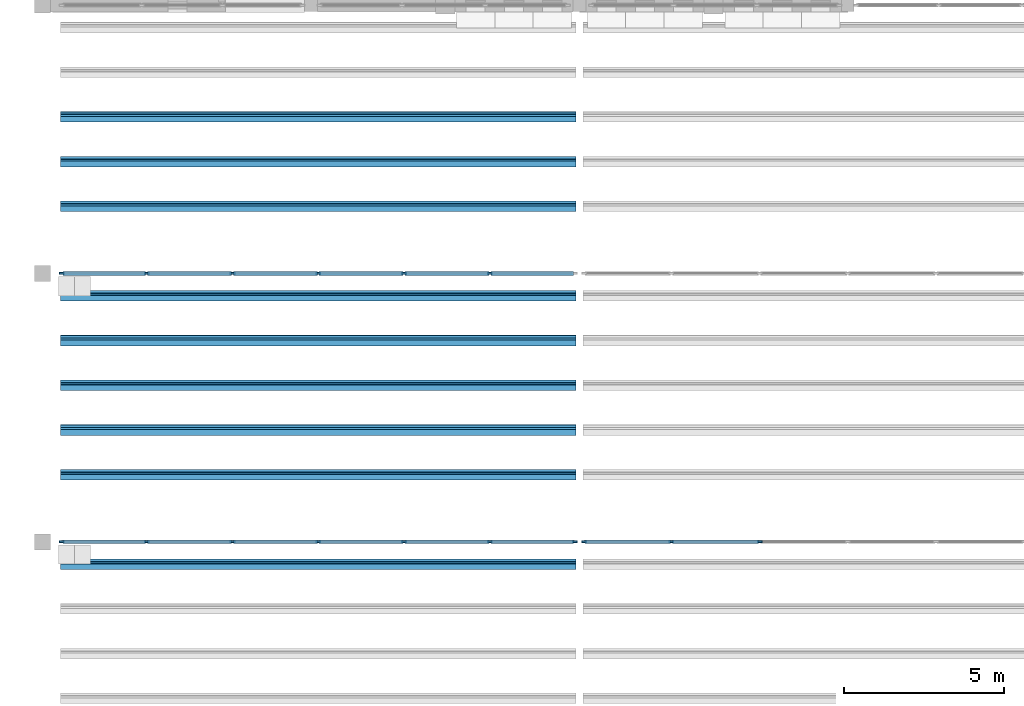
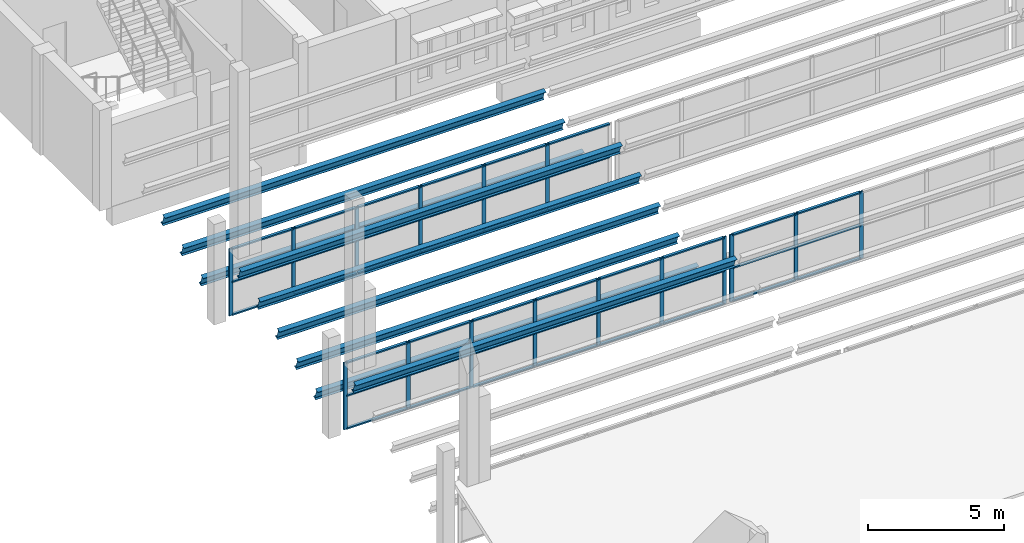
# One storey, part 10 of 116: 67 members, 3 elements without a shape of their own.
"""IFC4 building model written with IfcOpenShell, lengths in metres."""

from ifc_helpers import new_model, si_unit, direction, frame, origin, origin_2d, place, context, subcontext, project, spatial, rectangle, i_section, extrude, material, material_profile, profile_set, type_object, element, aggregate, save


model = new_model("IFC4")

# Units and contexts
model_context = context("Model", 3, precision=1e-05, world=origin(), true_north=direction((0.0, 1.0)))
body_context = subcontext(model_context, "Body", "Model", "MODEL_VIEW")
ifc_project = project(units=[si_unit("LENGTHUNIT", "METRE"), si_unit("AREAUNIT", "SQUARE_METRE"), si_unit("VOLUMEUNIT", "CUBIC_METRE"), si_unit("PLANEANGLEUNIT", "RADIAN"), si_unit("MASSUNIT", "GRAM", prefix="KILO")], contexts=[model_context])

# Site, building, storey
site_placement = place(None, origin())
site = spatial("IfcSite", under=ifc_project, at=site_placement, CompositionType="ELEMENT")
building_placement = place(site_placement, origin())
building = spatial("IfcBuilding", under=site, at=building_placement, Name="Fescue Hill Polytechnic", CompositionType="ELEMENT")
storey_placement = place(building_placement, frame((0.0, 0.0, 13.5)))
storey = spatial("IfcBuildingStorey", under=building, at=storey_placement, Name="L03", CompositionType="ELEMENT", Elevation=13.5)

# Curtain wall, members
ifc_material_1 = material(Name="Aluminium and glass", Category="aluminium")
curtain_wall_type = type_object("IfcCurtainWallType", Name="Sawtooth north glazing curtain wall", PredefinedType="NOTDEFINED", material=ifc_material_1)
curtain_wall_1_placement = place(storey_placement, origin())
curtain_wall_1 = element("IfcCurtainWall", 1, at=curtain_wall_1_placement, inside=storey, type_object=curtain_wall_type, Name="Sawtooth 2 north glazing bay 1", PredefinedType="NOTDEFINED")
ifc_material_2 = material(Name="Aluminium", Category="aluminium")
ifc_material_profile_1 = material_profile(ifc_material_2, rectangle(XDim=0.06005859375, YDim=0.159912109375, at=origin_2d()), Name="Curtain wall mullion 60x160")
ifc_profile_set_1 = profile_set([ifc_material_profile_1], Name="Aluminium")
member_type_1 = type_object("IfcMemberType", Name="Curtain wall mullion 60x160", PredefinedType="MULLION", material=ifc_profile_set_1)
member_1_placement = place(storey_placement, frame((0.60009765625, 33.60009765625, 0.0), z_axis=(0.0, 0.0, 1.0), x_axis=(0.0, 1.0, 0.0)))
member_1 = element("IfcMember", 2, at=member_1_placement, type_object=member_type_1, Name="CW8 mullion 1", PredefinedType="MULLION", context=body_context, shape_type="SweptSolid", body=[
    extrude(rectangle(XDim=0.06005859375, YDim=0.159912109375, at=origin_2d()), origin(), (0.0, 0.0, 1.0), 3.0),
])
member_2_placement = place(storey_placement, frame((3.2548828125, 33.60009765625, 0.0), z_axis=(0.0, 0.0, 1.0), x_axis=(0.0, 1.0, 0.0)))
member_2 = element("IfcMember", 3, at=member_2_placement, type_object=member_type_1, Name="CW8 mullion 2", PredefinedType="MULLION", context=body_context, shape_type="SweptSolid", body=[
    extrude(rectangle(XDim=0.06005859375, YDim=0.159912109375, at=origin_2d()), origin(), (0.0, 0.0, 1.0), 3.0),
])
member_3_placement = place(storey_placement, frame((5.93994140625, 33.60009765625, 0.0), z_axis=(0.0, 0.0, 1.0), x_axis=(0.0, 1.0, 0.0)))
member_3 = element("IfcMember", 4, at=member_3_placement, type_object=member_type_1, Name="CW8 mullion 3", PredefinedType="MULLION", context=body_context, shape_type="SweptSolid", body=[
    extrude(rectangle(XDim=0.06005859375, YDim=0.159912109375, at=origin_2d()), origin(), (0.0, 0.0, 1.0), 3.0),
])
member_4_placement = place(storey_placement, frame((8.625, 33.60009765625, 0.0), z_axis=(0.0, 0.0, 1.0), x_axis=(0.0, 1.0, 0.0)))
member_4 = element("IfcMember", 5, at=member_4_placement, type_object=member_type_1, Name="CW8 mullion 4", PredefinedType="MULLION", context=body_context, shape_type="SweptSolid", body=[
    extrude(rectangle(XDim=0.06005859375, YDim=0.159912109375, at=origin_2d()), origin(), (0.0, 0.0, 1.0), 3.0),
])
member_5_placement = place(storey_placement, frame((11.31005859375, 33.60009765625, 0.0), z_axis=(0.0, 0.0, 1.0), x_axis=(0.0, 1.0, 0.0)))
member_5 = element("IfcMember", 6, at=member_5_placement, type_object=member_type_1, Name="CW8 mullion 5", PredefinedType="MULLION", context=body_context, shape_type="SweptSolid", body=[
    extrude(rectangle(XDim=0.06005859375, YDim=0.159912109375, at=origin_2d()), origin(), (0.0, 0.0, 1.0), 3.0),
])
member_6_placement = place(storey_placement, frame((13.9951171875, 33.60009765625, 0.0), z_axis=(0.0, 0.0, 1.0), x_axis=(0.0, 1.0, 0.0)))
member_6 = element("IfcMember", 7, at=member_6_placement, type_object=member_type_1, Name="CW8 mullion 6", PredefinedType="MULLION", context=body_context, shape_type="SweptSolid", body=[
    extrude(rectangle(XDim=0.06005859375, YDim=0.159912109375, at=origin_2d()), origin(), (0.0, 0.0, 1.0), 3.0),
])
member_7_placement = place(storey_placement, frame((16.64990234375, 33.60009765625, 0.0), z_axis=(0.0, 0.0, 1.0), x_axis=(0.0, 1.0, 0.0)))
member_7 = element("IfcMember", 8, at=member_7_placement, type_object=member_type_1, Name="CW8 mullion 7", PredefinedType="MULLION", context=body_context, shape_type="SweptSolid", body=[
    extrude(rectangle(XDim=0.06005859375, YDim=0.159912109375, at=origin_2d()), origin(), (0.0, 0.0, 1.0), 3.0),
])

curtain_wall_2_placement = place(storey_placement, origin())
curtain_wall_2 = element("IfcCurtainWall", 9, at=curtain_wall_2_placement, inside=storey, type_object=curtain_wall_type, Name="Sawtooth 2 north glazing bay 2", PredefinedType="NOTDEFINED")
member_8_placement = place(storey_placement, frame((16.949951171875, 33.60009765625, 0.0), z_axis=(0.0, 0.0, 1.0), x_axis=(0.0, 1.0, 0.0)))
member_8 = element("IfcMember", 10, at=member_8_placement, type_object=member_type_1, Name="CW9 mullion 1", PredefinedType="MULLION", context=body_context, shape_type="SweptSolid", body=[
    extrude(rectangle(XDim=0.06005859375, YDim=0.159912109375, at=origin_2d()), origin(), (0.0, 0.0, 1.0), 3.0),
])
member_9_placement = place(storey_placement, frame((19.679931640625, 33.60009765625, 0.0), z_axis=(0.0, 0.0, 1.0), x_axis=(0.0, 1.0, 0.0)))
member_9 = element("IfcMember", 11, at=member_9_placement, type_object=member_type_1, Name="CW9 mullion 2", PredefinedType="MULLION", context=body_context, shape_type="SweptSolid", body=[
    extrude(rectangle(XDim=0.06005859375, YDim=0.159912109375, at=origin_2d()), origin(), (0.0, 0.0, 1.0), 3.0),
])
member_10_placement = place(storey_placement, frame((22.43994140625, 33.60009765625, 0.0), z_axis=(0.0, 0.0, 1.0), x_axis=(0.0, 1.0, 0.0)))
member_10 = element("IfcMember", 12, at=member_10_placement, type_object=member_type_1, Name="CW9 mullion 3", PredefinedType="MULLION", context=body_context, shape_type="SweptSolid", body=[
    extrude(rectangle(XDim=0.06005859375, YDim=0.159912109375, at=origin_2d()), origin(), (0.0, 0.0, 1.0), 3.0),
])

curtain_wall_3_placement = place(storey_placement, origin())
curtain_wall_3 = element("IfcCurtainWall", 13, at=curtain_wall_3_placement, inside=storey, type_object=curtain_wall_type, Name="Sawtooth 3 north glazing bay 1", PredefinedType="NOTDEFINED")
member_11_placement = place(storey_placement, frame((0.60009765625, 42.0, 0.0), z_axis=(0.0, 0.0, 1.0), x_axis=(0.0, 1.0, 0.0)))
member_11 = element("IfcMember", 14, at=member_11_placement, type_object=member_type_1, Name="CW15 mullion 1", PredefinedType="MULLION", context=body_context, shape_type="SweptSolid", body=[
    extrude(rectangle(XDim=0.06005859375, YDim=0.159912109375, at=origin_2d()), origin(), (0.0, 0.0, 1.0), 3.0),
])
member_12_placement = place(storey_placement, frame((3.2548828125, 42.0, 0.0), z_axis=(0.0, 0.0, 1.0), x_axis=(0.0, 1.0, 0.0)))
member_12 = element("IfcMember", 15, at=member_12_placement, type_object=member_type_1, Name="CW15 mullion 2", PredefinedType="MULLION", context=body_context, shape_type="SweptSolid", body=[
    extrude(rectangle(XDim=0.06005859375, YDim=0.159912109375, at=origin_2d()), origin(), (0.0, 0.0, 1.0), 3.0),
])
member_13_placement = place(storey_placement, frame((5.93994140625, 42.0, 0.0), z_axis=(0.0, 0.0, 1.0), x_axis=(0.0, 1.0, 0.0)))
member_13 = element("IfcMember", 16, at=member_13_placement, type_object=member_type_1, Name="CW15 mullion 3", PredefinedType="MULLION", context=body_context, shape_type="SweptSolid", body=[
    extrude(rectangle(XDim=0.06005859375, YDim=0.159912109375, at=origin_2d()), origin(), (0.0, 0.0, 1.0), 3.0),
])
member_14_placement = place(storey_placement, frame((8.625, 42.0, 0.0), z_axis=(0.0, 0.0, 1.0), x_axis=(0.0, 1.0, 0.0)))
member_14 = element("IfcMember", 17, at=member_14_placement, type_object=member_type_1, Name="CW15 mullion 4", PredefinedType="MULLION", context=body_context, shape_type="SweptSolid", body=[
    extrude(rectangle(XDim=0.06005859375, YDim=0.159912109375, at=origin_2d()), origin(), (0.0, 0.0, 1.0), 3.0),
])
member_15_placement = place(storey_placement, frame((11.31005859375, 42.0, 0.0), z_axis=(0.0, 0.0, 1.0), x_axis=(0.0, 1.0, 0.0)))
member_15 = element("IfcMember", 18, at=member_15_placement, type_object=member_type_1, Name="CW15 mullion 5", PredefinedType="MULLION", context=body_context, shape_type="SweptSolid", body=[
    extrude(rectangle(XDim=0.06005859375, YDim=0.159912109375, at=origin_2d()), origin(), (0.0, 0.0, 1.0), 3.0),
])
member_16_placement = place(storey_placement, frame((13.9951171875, 42.0, 0.0), z_axis=(0.0, 0.0, 1.0), x_axis=(0.0, 1.0, 0.0)))
member_16 = element("IfcMember", 19, at=member_16_placement, type_object=member_type_1, Name="CW15 mullion 6", PredefinedType="MULLION", context=body_context, shape_type="SweptSolid", body=[
    extrude(rectangle(XDim=0.06005859375, YDim=0.159912109375, at=origin_2d()), origin(), (0.0, 0.0, 1.0), 3.0),
])

# Member
ifc_material_profile_2 = material_profile(ifc_material_2, rectangle(XDim=0.1201171875, YDim=0.06005859375, at=origin_2d()), Name="Curtain wall transom 60x120")
ifc_profile_set_2 = profile_set([ifc_material_profile_2], Name="Aluminium")
member_type_2 = type_object("IfcMemberType", Name="Curtain wall transom 60x120", PredefinedType="USERDEFINED", material=ifc_profile_set_2)
member_17_placement = place(storey_placement, frame((0.6298828125, 33.60009765625, 0.030029296875), z_axis=(1.0, 0.0, 0.0), x_axis=(0.0, 1.0, 0.0)))
member_17 = element("IfcMember", 20, at=member_17_placement, type_object=member_type_2, Name="CW8 transom 1.1", ObjectType="TRANSOM", PredefinedType="USERDEFINED", context=body_context, shape_type="SweptSolid", body=[
    extrude(rectangle(XDim=0.1201171875, YDim=0.06005859375, at=origin_2d()), origin(), (0.0, 0.0, 1.0), 2.59521484375),
])

member_18_placement = place(storey_placement, frame((0.6298828125, 33.60009765625, 1.5), z_axis=(1.0, 0.0, 0.0), x_axis=(0.0, 1.0, 0.0)))
member_18 = element("IfcMember", 21, at=member_18_placement, type_object=member_type_2, Name="CW8 transom 1.2", ObjectType="TRANSOM", PredefinedType="USERDEFINED", context=body_context, shape_type="SweptSolid", body=[
    extrude(rectangle(XDim=0.1201171875, YDim=0.06005859375, at=origin_2d()), origin(), (0.0, 0.0, 1.0), 2.59521484375),
])

member_19_placement = place(storey_placement, frame((0.6298828125, 33.60009765625, 2.969970703125), z_axis=(1.0, 0.0, 0.0), x_axis=(0.0, 1.0, 0.0)))
member_19 = element("IfcMember", 22, at=member_19_placement, type_object=member_type_2, Name="CW8 transom 1.3", ObjectType="TRANSOM", PredefinedType="USERDEFINED", context=body_context, shape_type="SweptSolid", body=[
    extrude(rectangle(XDim=0.1201171875, YDim=0.06005859375, at=origin_2d()), origin(), (0.0, 0.0, 1.0), 2.59521484375),
])

member_20_placement = place(storey_placement, frame((3.284912109375, 33.60009765625, 0.030029296875), z_axis=(1.0, 0.0, 0.0), x_axis=(0.0, 1.0, 0.0)))
member_20 = element("IfcMember", 23, at=member_20_placement, type_object=member_type_2, Name="CW8 transom 2.1", ObjectType="TRANSOM", PredefinedType="USERDEFINED", context=body_context, shape_type="SweptSolid", body=[
    extrude(rectangle(XDim=0.1201171875, YDim=0.06005859375, at=origin_2d()), origin(), (0.0, 0.0, 1.0), 2.625),
])

member_21_placement = place(storey_placement, frame((3.284912109375, 33.60009765625, 1.5), z_axis=(1.0, 0.0, 0.0), x_axis=(0.0, 1.0, 0.0)))
member_21 = element("IfcMember", 24, at=member_21_placement, type_object=member_type_2, Name="CW8 transom 2.2", ObjectType="TRANSOM", PredefinedType="USERDEFINED", context=body_context, shape_type="SweptSolid", body=[
    extrude(rectangle(XDim=0.1201171875, YDim=0.06005859375, at=origin_2d()), origin(), (0.0, 0.0, 1.0), 2.625),
])

member_22_placement = place(storey_placement, frame((3.284912109375, 33.60009765625, 2.969970703125), z_axis=(1.0, 0.0, 0.0), x_axis=(0.0, 1.0, 0.0)))
member_22 = element("IfcMember", 25, at=member_22_placement, type_object=member_type_2, Name="CW8 transom 2.3", ObjectType="TRANSOM", PredefinedType="USERDEFINED", context=body_context, shape_type="SweptSolid", body=[
    extrude(rectangle(XDim=0.1201171875, YDim=0.06005859375, at=origin_2d()), origin(), (0.0, 0.0, 1.0), 2.625),
])

member_23_placement = place(storey_placement, frame((5.969970703125, 33.60009765625, 0.030029296875), z_axis=(1.0, 0.0, 0.0), x_axis=(0.0, 1.0, 0.0)))
member_23 = element("IfcMember", 26, at=member_23_placement, type_object=member_type_2, Name="CW8 transom 3.1", ObjectType="TRANSOM", PredefinedType="USERDEFINED", context=body_context, shape_type="SweptSolid", body=[
    extrude(rectangle(XDim=0.1201171875, YDim=0.06005859375, at=origin_2d()), origin(), (0.0, 0.0, 1.0), 2.625),
])

member_24_placement = place(storey_placement, frame((5.969970703125, 33.60009765625, 1.5), z_axis=(1.0, 0.0, 0.0), x_axis=(0.0, 1.0, 0.0)))
member_24 = element("IfcMember", 27, at=member_24_placement, type_object=member_type_2, Name="CW8 transom 3.2", ObjectType="TRANSOM", PredefinedType="USERDEFINED", context=body_context, shape_type="SweptSolid", body=[
    extrude(rectangle(XDim=0.1201171875, YDim=0.06005859375, at=origin_2d()), origin(), (0.0, 0.0, 1.0), 2.625),
])

member_25_placement = place(storey_placement, frame((5.969970703125, 33.60009765625, 2.969970703125), z_axis=(1.0, 0.0, 0.0), x_axis=(0.0, 1.0, 0.0)))
member_25 = element("IfcMember", 28, at=member_25_placement, type_object=member_type_2, Name="CW8 transom 3.3", ObjectType="TRANSOM", PredefinedType="USERDEFINED", context=body_context, shape_type="SweptSolid", body=[
    extrude(rectangle(XDim=0.1201171875, YDim=0.06005859375, at=origin_2d()), origin(), (0.0, 0.0, 1.0), 2.625),
])

member_26_placement = place(storey_placement, frame((8.655029296875, 33.60009765625, 0.030029296875), z_axis=(1.0, 0.0, 0.0), x_axis=(0.0, 1.0, 0.0)))
member_26 = element("IfcMember", 29, at=member_26_placement, type_object=member_type_2, Name="CW8 transom 4.1", ObjectType="TRANSOM", PredefinedType="USERDEFINED", context=body_context, shape_type="SweptSolid", body=[
    extrude(rectangle(XDim=0.1201171875, YDim=0.06005859375, at=origin_2d()), origin(), (0.0, 0.0, 1.0), 2.625),
])

member_27_placement = place(storey_placement, frame((8.655029296875, 33.60009765625, 1.5), z_axis=(1.0, 0.0, 0.0), x_axis=(0.0, 1.0, 0.0)))
member_27 = element("IfcMember", 30, at=member_27_placement, type_object=member_type_2, Name="CW8 transom 4.2", ObjectType="TRANSOM", PredefinedType="USERDEFINED", context=body_context, shape_type="SweptSolid", body=[
    extrude(rectangle(XDim=0.1201171875, YDim=0.06005859375, at=origin_2d()), origin(), (0.0, 0.0, 1.0), 2.625),
])

member_28_placement = place(storey_placement, frame((8.655029296875, 33.60009765625, 2.969970703125), z_axis=(1.0, 0.0, 0.0), x_axis=(0.0, 1.0, 0.0)))
member_28 = element("IfcMember", 31, at=member_28_placement, type_object=member_type_2, Name="CW8 transom 4.3", ObjectType="TRANSOM", PredefinedType="USERDEFINED", context=body_context, shape_type="SweptSolid", body=[
    extrude(rectangle(XDim=0.1201171875, YDim=0.06005859375, at=origin_2d()), origin(), (0.0, 0.0, 1.0), 2.625),
])

member_29_placement = place(storey_placement, frame((11.340087890625, 33.60009765625, 0.030029296875), z_axis=(1.0, 0.0, 0.0), x_axis=(0.0, 1.0, 0.0)))
member_29 = element("IfcMember", 32, at=member_29_placement, type_object=member_type_2, Name="CW8 transom 5.1", ObjectType="TRANSOM", PredefinedType="USERDEFINED", context=body_context, shape_type="SweptSolid", body=[
    extrude(rectangle(XDim=0.1201171875, YDim=0.06005859375, at=origin_2d()), origin(), (0.0, 0.0, 1.0), 2.625),
])

member_30_placement = place(storey_placement, frame((11.340087890625, 33.60009765625, 1.5), z_axis=(1.0, 0.0, 0.0), x_axis=(0.0, 1.0, 0.0)))
member_30 = element("IfcMember", 33, at=member_30_placement, type_object=member_type_2, Name="CW8 transom 5.2", ObjectType="TRANSOM", PredefinedType="USERDEFINED", context=body_context, shape_type="SweptSolid", body=[
    extrude(rectangle(XDim=0.1201171875, YDim=0.06005859375, at=origin_2d()), origin(), (0.0, 0.0, 1.0), 2.625),
])

member_31_placement = place(storey_placement, frame((11.340087890625, 33.60009765625, 2.969970703125), z_axis=(1.0, 0.0, 0.0), x_axis=(0.0, 1.0, 0.0)))
member_31 = element("IfcMember", 34, at=member_31_placement, type_object=member_type_2, Name="CW8 transom 5.3", ObjectType="TRANSOM", PredefinedType="USERDEFINED", context=body_context, shape_type="SweptSolid", body=[
    extrude(rectangle(XDim=0.1201171875, YDim=0.06005859375, at=origin_2d()), origin(), (0.0, 0.0, 1.0), 2.625),
])

member_32_placement = place(storey_placement, frame((14.02490234375, 33.60009765625, 0.030029296875), z_axis=(1.0, 0.0, 0.0), x_axis=(0.0, 1.0, 0.0)))
member_32 = element("IfcMember", 35, at=member_32_placement, type_object=member_type_2, Name="CW8 transom 6.1", ObjectType="TRANSOM", PredefinedType="USERDEFINED", context=body_context, shape_type="SweptSolid", body=[
    extrude(rectangle(XDim=0.1201171875, YDim=0.06005859375, at=origin_2d()), origin(), (0.0, 0.0, 1.0), 2.59521484375),
])

member_33_placement = place(storey_placement, frame((14.02490234375, 33.60009765625, 1.5), z_axis=(1.0, 0.0, 0.0), x_axis=(0.0, 1.0, 0.0)))
member_33 = element("IfcMember", 36, at=member_33_placement, type_object=member_type_2, Name="CW8 transom 6.2", ObjectType="TRANSOM", PredefinedType="USERDEFINED", context=body_context, shape_type="SweptSolid", body=[
    extrude(rectangle(XDim=0.1201171875, YDim=0.06005859375, at=origin_2d()), origin(), (0.0, 0.0, 1.0), 2.59521484375),
])

member_34_placement = place(storey_placement, frame((14.02490234375, 33.60009765625, 2.969970703125), z_axis=(1.0, 0.0, 0.0), x_axis=(0.0, 1.0, 0.0)))
member_34 = element("IfcMember", 37, at=member_34_placement, type_object=member_type_2, Name="CW8 transom 6.3", ObjectType="TRANSOM", PredefinedType="USERDEFINED", context=body_context, shape_type="SweptSolid", body=[
    extrude(rectangle(XDim=0.1201171875, YDim=0.06005859375, at=origin_2d()), origin(), (0.0, 0.0, 1.0), 2.59521484375),
])

aggregate(curtain_wall_1, [member_1, member_2, member_3, member_4, member_5, member_6, member_7, member_17, member_18, member_19, member_20, member_21, member_22, member_23, member_24, member_25, member_26, member_27, member_28, member_29, member_30, member_31, member_32, member_33, member_34])

member_35_placement = place(storey_placement, frame((16.97998046875, 33.60009765625, 0.030029296875), z_axis=(1.0, 0.0, 0.0), x_axis=(0.0, 1.0, 0.0)))
member_35 = element("IfcMember", 38, at=member_35_placement, type_object=member_type_2, Name="CW9 transom 1.1", ObjectType="TRANSOM", PredefinedType="USERDEFINED", context=body_context, shape_type="SweptSolid", body=[
    extrude(rectangle(XDim=0.1201171875, YDim=0.06005859375, at=origin_2d()), origin(), (0.0, 0.0, 1.0), 2.669921875),
])

member_36_placement = place(storey_placement, frame((16.97998046875, 33.60009765625, 1.5), z_axis=(1.0, 0.0, 0.0), x_axis=(0.0, 1.0, 0.0)))
member_36 = element("IfcMember", 39, at=member_36_placement, type_object=member_type_2, Name="CW9 transom 1.2", ObjectType="TRANSOM", PredefinedType="USERDEFINED", context=body_context, shape_type="SweptSolid", body=[
    extrude(rectangle(XDim=0.1201171875, YDim=0.06005859375, at=origin_2d()), origin(), (0.0, 0.0, 1.0), 2.669921875),
])

member_37_placement = place(storey_placement, frame((16.97998046875, 33.60009765625, 2.969970703125), z_axis=(1.0, 0.0, 0.0), x_axis=(0.0, 1.0, 0.0)))
member_37 = element("IfcMember", 40, at=member_37_placement, type_object=member_type_2, Name="CW9 transom 1.3", ObjectType="TRANSOM", PredefinedType="USERDEFINED", context=body_context, shape_type="SweptSolid", body=[
    extrude(rectangle(XDim=0.1201171875, YDim=0.06005859375, at=origin_2d()), origin(), (0.0, 0.0, 1.0), 2.669921875),
])

member_38_placement = place(storey_placement, frame((19.7099609375, 33.60009765625, 0.030029296875), z_axis=(1.0, 0.0, 0.0), x_axis=(0.0, 1.0, 0.0)))
member_38 = element("IfcMember", 41, at=member_38_placement, type_object=member_type_2, Name="CW9 transom 2.1", ObjectType="TRANSOM", PredefinedType="USERDEFINED", context=body_context, shape_type="SweptSolid", body=[
    extrude(rectangle(XDim=0.1201171875, YDim=0.06005859375, at=origin_2d()), origin(), (0.0, 0.0, 1.0), 2.699951171875),
])

member_39_placement = place(storey_placement, frame((19.7099609375, 33.60009765625, 1.5), z_axis=(1.0, 0.0, 0.0), x_axis=(0.0, 1.0, 0.0)))
member_39 = element("IfcMember", 42, at=member_39_placement, type_object=member_type_2, Name="CW9 transom 2.2", ObjectType="TRANSOM", PredefinedType="USERDEFINED", context=body_context, shape_type="SweptSolid", body=[
    extrude(rectangle(XDim=0.1201171875, YDim=0.06005859375, at=origin_2d()), origin(), (0.0, 0.0, 1.0), 2.699951171875),
])

member_40_placement = place(storey_placement, frame((19.7099609375, 33.60009765625, 2.969970703125), z_axis=(1.0, 0.0, 0.0), x_axis=(0.0, 1.0, 0.0)))
member_40 = element("IfcMember", 43, at=member_40_placement, type_object=member_type_2, Name="CW9 transom 2.3", ObjectType="TRANSOM", PredefinedType="USERDEFINED", context=body_context, shape_type="SweptSolid", body=[
    extrude(rectangle(XDim=0.1201171875, YDim=0.06005859375, at=origin_2d()), origin(), (0.0, 0.0, 1.0), 2.699951171875),
])

aggregate(curtain_wall_2, [member_8, member_9, member_10, member_35, member_36, member_37, member_38, member_39, member_40])

member_41_placement = place(storey_placement, frame((0.6298828125, 42.0, 0.030029296875), z_axis=(1.0, 0.0, 0.0), x_axis=(0.0, 1.0, 0.0)))
member_41 = element("IfcMember", 44, at=member_41_placement, type_object=member_type_2, Name="CW15 transom 1.1", ObjectType="TRANSOM", PredefinedType="USERDEFINED", context=body_context, shape_type="SweptSolid", body=[
    extrude(rectangle(XDim=0.1201171875, YDim=0.06005859375, at=origin_2d()), origin(), (0.0, 0.0, 1.0), 2.59521484375),
])

member_42_placement = place(storey_placement, frame((0.6298828125, 42.0, 1.5), z_axis=(1.0, 0.0, 0.0), x_axis=(0.0, 1.0, 0.0)))
member_42 = element("IfcMember", 45, at=member_42_placement, type_object=member_type_2, Name="CW15 transom 1.2", ObjectType="TRANSOM", PredefinedType="USERDEFINED", context=body_context, shape_type="SweptSolid", body=[
    extrude(rectangle(XDim=0.1201171875, YDim=0.06005859375, at=origin_2d()), origin(), (0.0, 0.0, 1.0), 2.59521484375),
])

member_43_placement = place(storey_placement, frame((0.6298828125, 42.0, 2.969970703125), z_axis=(1.0, 0.0, 0.0), x_axis=(0.0, 1.0, 0.0)))
member_43 = element("IfcMember", 46, at=member_43_placement, type_object=member_type_2, Name="CW15 transom 1.3", ObjectType="TRANSOM", PredefinedType="USERDEFINED", context=body_context, shape_type="SweptSolid", body=[
    extrude(rectangle(XDim=0.1201171875, YDim=0.06005859375, at=origin_2d()), origin(), (0.0, 0.0, 1.0), 2.59521484375),
])

member_44_placement = place(storey_placement, frame((3.284912109375, 42.0, 0.030029296875), z_axis=(1.0, 0.0, 0.0), x_axis=(0.0, 1.0, 0.0)))
member_44 = element("IfcMember", 47, at=member_44_placement, type_object=member_type_2, Name="CW15 transom 2.1", ObjectType="TRANSOM", PredefinedType="USERDEFINED", context=body_context, shape_type="SweptSolid", body=[
    extrude(rectangle(XDim=0.1201171875, YDim=0.06005859375, at=origin_2d()), origin(), (0.0, 0.0, 1.0), 2.625),
])

member_45_placement = place(storey_placement, frame((3.284912109375, 42.0, 1.5), z_axis=(1.0, 0.0, 0.0), x_axis=(0.0, 1.0, 0.0)))
member_45 = element("IfcMember", 48, at=member_45_placement, type_object=member_type_2, Name="CW15 transom 2.2", ObjectType="TRANSOM", PredefinedType="USERDEFINED", context=body_context, shape_type="SweptSolid", body=[
    extrude(rectangle(XDim=0.1201171875, YDim=0.06005859375, at=origin_2d()), origin(), (0.0, 0.0, 1.0), 2.625),
])

member_46_placement = place(storey_placement, frame((3.284912109375, 42.0, 2.969970703125), z_axis=(1.0, 0.0, 0.0), x_axis=(0.0, 1.0, 0.0)))
member_46 = element("IfcMember", 49, at=member_46_placement, type_object=member_type_2, Name="CW15 transom 2.3", ObjectType="TRANSOM", PredefinedType="USERDEFINED", context=body_context, shape_type="SweptSolid", body=[
    extrude(rectangle(XDim=0.1201171875, YDim=0.06005859375, at=origin_2d()), origin(), (0.0, 0.0, 1.0), 2.625),
])

member_47_placement = place(storey_placement, frame((5.969970703125, 42.0, 0.030029296875), z_axis=(1.0, 0.0, 0.0), x_axis=(0.0, 1.0, 0.0)))
member_47 = element("IfcMember", 50, at=member_47_placement, type_object=member_type_2, Name="CW15 transom 3.1", ObjectType="TRANSOM", PredefinedType="USERDEFINED", context=body_context, shape_type="SweptSolid", body=[
    extrude(rectangle(XDim=0.1201171875, YDim=0.06005859375, at=origin_2d()), origin(), (0.0, 0.0, 1.0), 2.625),
])

member_48_placement = place(storey_placement, frame((5.969970703125, 42.0, 1.5), z_axis=(1.0, 0.0, 0.0), x_axis=(0.0, 1.0, 0.0)))
member_48 = element("IfcMember", 51, at=member_48_placement, type_object=member_type_2, Name="CW15 transom 3.2", ObjectType="TRANSOM", PredefinedType="USERDEFINED", context=body_context, shape_type="SweptSolid", body=[
    extrude(rectangle(XDim=0.1201171875, YDim=0.06005859375, at=origin_2d()), origin(), (0.0, 0.0, 1.0), 2.625),
])

member_49_placement = place(storey_placement, frame((5.969970703125, 42.0, 2.969970703125), z_axis=(1.0, 0.0, 0.0), x_axis=(0.0, 1.0, 0.0)))
member_49 = element("IfcMember", 52, at=member_49_placement, type_object=member_type_2, Name="CW15 transom 3.3", ObjectType="TRANSOM", PredefinedType="USERDEFINED", context=body_context, shape_type="SweptSolid", body=[
    extrude(rectangle(XDim=0.1201171875, YDim=0.06005859375, at=origin_2d()), origin(), (0.0, 0.0, 1.0), 2.625),
])

member_50_placement = place(storey_placement, frame((8.655029296875, 42.0, 0.030029296875), z_axis=(1.0, 0.0, 0.0), x_axis=(0.0, 1.0, 0.0)))
member_50 = element("IfcMember", 53, at=member_50_placement, type_object=member_type_2, Name="CW15 transom 4.1", ObjectType="TRANSOM", PredefinedType="USERDEFINED", context=body_context, shape_type="SweptSolid", body=[
    extrude(rectangle(XDim=0.1201171875, YDim=0.06005859375, at=origin_2d()), origin(), (0.0, 0.0, 1.0), 2.625),
])

member_51_placement = place(storey_placement, frame((8.655029296875, 42.0, 1.5), z_axis=(1.0, 0.0, 0.0), x_axis=(0.0, 1.0, 0.0)))
member_51 = element("IfcMember", 54, at=member_51_placement, type_object=member_type_2, Name="CW15 transom 4.2", ObjectType="TRANSOM", PredefinedType="USERDEFINED", context=body_context, shape_type="SweptSolid", body=[
    extrude(rectangle(XDim=0.1201171875, YDim=0.06005859375, at=origin_2d()), origin(), (0.0, 0.0, 1.0), 2.625),
])

member_52_placement = place(storey_placement, frame((8.655029296875, 42.0, 2.969970703125), z_axis=(1.0, 0.0, 0.0), x_axis=(0.0, 1.0, 0.0)))
member_52 = element("IfcMember", 55, at=member_52_placement, type_object=member_type_2, Name="CW15 transom 4.3", ObjectType="TRANSOM", PredefinedType="USERDEFINED", context=body_context, shape_type="SweptSolid", body=[
    extrude(rectangle(XDim=0.1201171875, YDim=0.06005859375, at=origin_2d()), origin(), (0.0, 0.0, 1.0), 2.625),
])

member_53_placement = place(storey_placement, frame((11.340087890625, 42.0, 0.030029296875), z_axis=(1.0, 0.0, 0.0), x_axis=(0.0, 1.0, 0.0)))
member_53 = element("IfcMember", 56, at=member_53_placement, type_object=member_type_2, Name="CW15 transom 5.1", ObjectType="TRANSOM", PredefinedType="USERDEFINED", context=body_context, shape_type="SweptSolid", body=[
    extrude(rectangle(XDim=0.1201171875, YDim=0.06005859375, at=origin_2d()), origin(), (0.0, 0.0, 1.0), 2.625),
])

member_54_placement = place(storey_placement, frame((11.340087890625, 42.0, 1.5), z_axis=(1.0, 0.0, 0.0), x_axis=(0.0, 1.0, 0.0)))
member_54 = element("IfcMember", 57, at=member_54_placement, type_object=member_type_2, Name="CW15 transom 5.2", ObjectType="TRANSOM", PredefinedType="USERDEFINED", context=body_context, shape_type="SweptSolid", body=[
    extrude(rectangle(XDim=0.1201171875, YDim=0.06005859375, at=origin_2d()), origin(), (0.0, 0.0, 1.0), 2.625),
])

member_55_placement = place(storey_placement, frame((11.340087890625, 42.0, 2.969970703125), z_axis=(1.0, 0.0, 0.0), x_axis=(0.0, 1.0, 0.0)))
member_55 = element("IfcMember", 58, at=member_55_placement, type_object=member_type_2, Name="CW15 transom 5.3", ObjectType="TRANSOM", PredefinedType="USERDEFINED", context=body_context, shape_type="SweptSolid", body=[
    extrude(rectangle(XDim=0.1201171875, YDim=0.06005859375, at=origin_2d()), origin(), (0.0, 0.0, 1.0), 2.625),
])

member_56_placement = place(storey_placement, frame((14.02490234375, 42.0, 0.030029296875), z_axis=(1.0, 0.0, 0.0), x_axis=(0.0, 1.0, 0.0)))
member_56 = element("IfcMember", 59, at=member_56_placement, type_object=member_type_2, Name="CW15 transom 6.1", ObjectType="TRANSOM", PredefinedType="USERDEFINED", context=body_context, shape_type="SweptSolid", body=[
    extrude(rectangle(XDim=0.1201171875, YDim=0.06005859375, at=origin_2d()), origin(), (0.0, 0.0, 1.0), 2.59521484375),
])

member_57_placement = place(storey_placement, frame((14.02490234375, 42.0, 1.5), z_axis=(1.0, 0.0, 0.0), x_axis=(0.0, 1.0, 0.0)))
member_57 = element("IfcMember", 60, at=member_57_placement, type_object=member_type_2, Name="CW15 transom 6.2", ObjectType="TRANSOM", PredefinedType="USERDEFINED", context=body_context, shape_type="SweptSolid", body=[
    extrude(rectangle(XDim=0.1201171875, YDim=0.06005859375, at=origin_2d()), origin(), (0.0, 0.0, 1.0), 2.59521484375),
])

member_58_placement = place(storey_placement, frame((14.02490234375, 42.0, 2.969970703125), z_axis=(1.0, 0.0, 0.0), x_axis=(0.0, 1.0, 0.0)))
member_58 = element("IfcMember", 61, at=member_58_placement, type_object=member_type_2, Name="CW15 transom 6.3", ObjectType="TRANSOM", PredefinedType="USERDEFINED", context=body_context, shape_type="SweptSolid", body=[
    extrude(rectangle(XDim=0.1201171875, YDim=0.06005859375, at=origin_2d()), origin(), (0.0, 0.0, 1.0), 2.59521484375),
])

aggregate(curtain_wall_3, [member_11, member_12, member_13, member_14, member_15, member_16, member_41, member_42, member_43, member_44, member_45, member_46, member_47, member_48, member_49, member_50, member_51, member_52, member_53, member_54, member_55, member_56, member_57, member_58])

# Members
ifc_material_3 = material(Name="Steel 350W (350 MPa)", Category="steel")
ifc_material_profile_3 = material_profile(ifc_material_3, i_section(OverallWidth=0.18994140625, OverallDepth=0.45703125, WebThickness=0.009033203125, FlangeThickness=0.014404296875, FilletRadius=0.0166015625, at=origin_2d()), Name="W460x74")
ifc_profile_set_3 = profile_set([ifc_material_profile_3], Name="Steel 350W (350 MPa)")
member_type_3 = type_object("IfcMemberType", Name="Tooth purlin W460x74", PredefinedType="PURLIN", material=ifc_profile_set_3)
for number, where, z_axis, x_axis, name in (
    (62, (0.554443359375, 35.699951171875, 0.294921875), (1.0, 0.0, 0.0), (0.0, 0.941741911595, 0.336336396997), "Tooth 3 purlin 2 bay 1"),
    (63, (0.554443359375, 37.10009765625, 0.794921875), (1.0, 0.0, 0.0), (0.0, 0.941741911595, 0.336336396997), "Tooth 3 purlin 3 bay 1"),
    (64, (0.554443359375, 38.5, 1.294921875), (1.0, 0.0, 0.0), (0.0, 0.941741911595, 0.336336396997), "Tooth 3 purlin 4 bay 1"),
    (65, (0.554443359375, 39.89990234375, 1.794921875), (1.0, 0.0, 0.0), (0.0, 0.941741911595, 0.336336396997), "Tooth 3 purlin 5 bay 1"),
    (66, (0.554443359375, 44.10009765625, 0.294921875), (1.0, 0.0, 0.0), (0.0, 0.941741911595, 0.336336396997), "Tooth 4 purlin 2 bay 1"),
    (67, (0.554443359375, 45.5, 0.794921875), (1.0, 0.0, 0.0), (0.0, 0.941741911595, 0.336336396997), "Tooth 4 purlin 3 bay 1"),
    (68, (0.554443359375, 46.89990234375, 1.294921875), (1.0, 0.0, 0.0), (0.0, 0.941741911595, 0.336336396997), "Tooth 4 purlin 4 bay 1"),
):
    element("IfcMember", number, at=place(storey_placement, frame(where, z_axis=z_axis, x_axis=x_axis)), inside=storey, type_object=member_type_3, Name=name, PredefinedType="PURLIN", context=body_context, shape_type="SweptSolid", body=[
        extrude(i_section(OverallWidth=0.18994140625, OverallDepth=0.45703125, WebThickness=0.009033203125, FlangeThickness=0.014404296875, FilletRadius=0.0166015625, at=origin_2d()), origin(), (0.0, 0.0, 1.0), 16.14111328125),
    ])
ifc_material_profile_4 = material_profile(ifc_material_3, i_section(OverallWidth=0.193115234375, OverallDepth=0.466064453125, WebThickness=0.011474609375, FlangeThickness=0.01904296875, FilletRadius=0.01708984375, at=origin_2d()), Name="W460x97")
ifc_profile_set_4 = profile_set([ifc_material_profile_4], Name="Steel 350W (350 MPa)")
member_type_4 = type_object("IfcMemberType", Name="Tooth ridge purlin W460x97", PredefinedType="PURLIN", material=ifc_profile_set_4)
for number, where, z_axis, x_axis, name in (
    (69, (0.554443359375, 32.89990234375, 2.290283203125), (1.0, 0.0, 0.0), (0.0, 0.941741911595, 0.336336396997), "Tooth 2 ridge purlin bay 1"),
    (70, (0.554443359375, 41.300048828125, 2.290283203125), (1.0, 0.0, 0.0), (0.0, 0.941741911595, 0.336336396997), "Tooth 3 ridge purlin bay 1"),
):
    element("IfcMember", number, at=place(storey_placement, frame(where, z_axis=z_axis, x_axis=x_axis)), inside=storey, type_object=member_type_4, Name=name, PredefinedType="PURLIN", context=body_context, shape_type="SweptSolid", body=[
        extrude(i_section(OverallWidth=0.193115234375, OverallDepth=0.466064453125, WebThickness=0.011474609375, FlangeThickness=0.01904296875, FilletRadius=0.01708984375, at=origin_2d()), origin(), (0.0, 0.0, 1.0), 16.14111328125),
    ])

save(model, "model.ifc")
